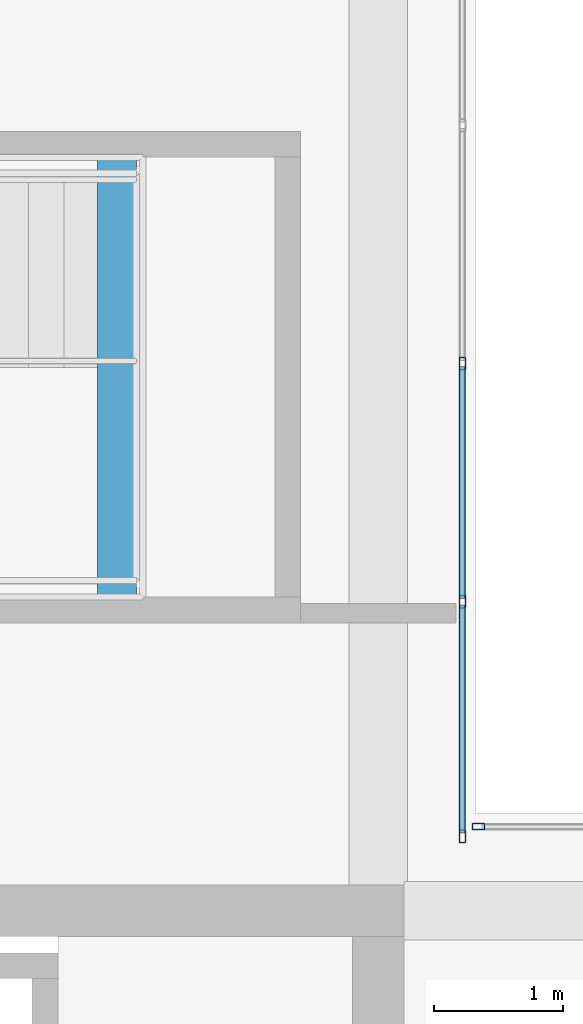
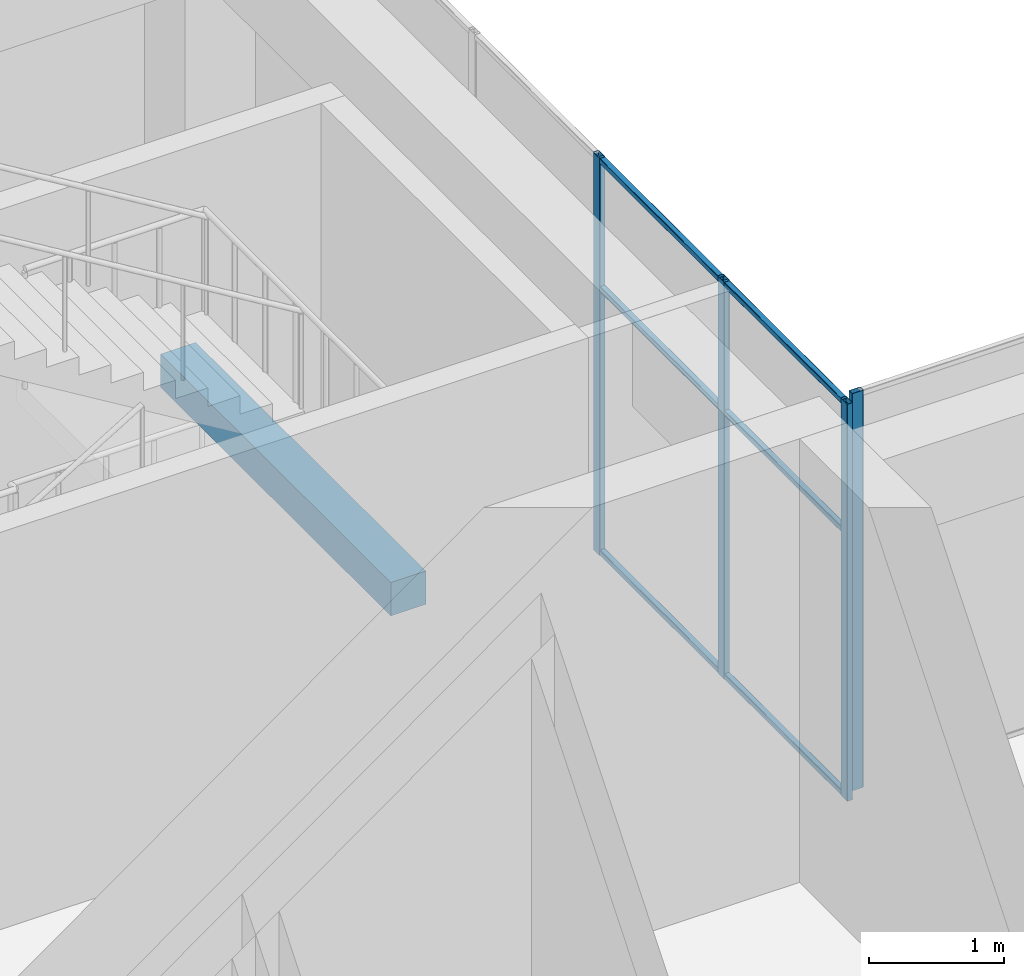
# One storey, part 15 of 35: 10 members, 1 beam, 2 elements without a shape of their own.
"""IFC4 building model written with IfcOpenShell, lengths in metres."""

from ifc_helpers import new_model, si_unit, direction, frame, origin, origin_2d, place, context, subcontext, project, spatial, rectangle, hollow_rectangle, extrude, material, layer, layer_set, material_profile, profile_set, type_object, element, aggregate, save


model = new_model("IFC4")

# Units and contexts
model_context = context("Model", 3, precision=1e-05, world=origin(), true_north=direction((0.0, 1.0)))
body_context = subcontext(model_context, "Body", "Model", "MODEL_VIEW")
ifc_project = project(units=[si_unit("LENGTHUNIT", "METRE"), si_unit("AREAUNIT", "SQUARE_METRE"), si_unit("VOLUMEUNIT", "CUBIC_METRE"), si_unit("PLANEANGLEUNIT", "RADIAN"), si_unit("MASSUNIT", "GRAM", prefix="KILO")], contexts=[model_context])

# Site, building, storey
site_placement = place(None, origin())
site = spatial("IfcSite", under=ifc_project, at=site_placement, CompositionType="ELEMENT")
building_placement = place(site_placement, origin())
building = spatial("IfcBuilding", under=site, at=building_placement, Name="Tuart Plaza Theatre", CompositionType="ELEMENT")
storey_placement = place(building_placement, frame((0.0, 0.0, 49.5)))
storey = spatial("IfcBuildingStorey", under=building, at=storey_placement, Name="L12", CompositionType="ELEMENT", Elevation=49.5)

# Beam
ifc_material_1 = material(Name="Concrete N40 (40 MPa)", Category="concrete")
ifc_material_profile_1 = material_profile(ifc_material_1, rectangle(XDim=0.300048828125, YDim=0.300048828125, at=origin_2d()), Name="BEAM 300x300 Concrete N40 (40 MPa)")
ifc_profile_set_1 = profile_set([ifc_material_profile_1], Name="Concrete N40 (40 MPa)")
beam_type = type_object("IfcBeamType", Name="BEAM 300x300 Concrete N40 (40 MPa)", PredefinedType="BEAM", material=ifc_profile_set_1)
beam_placement = place(storey_placement, frame((138.97998046875, 85.425048828125, 1.64990234375), z_axis=(0.0, 1.0, 0.0), x_axis=(-1.0, 0.0, 0.0)))
element("IfcBeam", 1, at=beam_placement, inside=storey, type_object=beam_type, Name="RB524", PredefinedType="BEAM", context=body_context, shape_type="SweptSolid", body=[
    extrude(rectangle(XDim=0.300048828125, YDim=0.300048828125, at=origin_2d()), origin(), (0.0, 0.0, 1.0), 3.39990234375),
])

# Curtain wall, member
ifc_material_2 = material(Name="Aluminium and glass", Category="aluminium")
ifc_layer = layer(ifc_material_2, 0.10009765625)
ifc_layer_set = layer_set([ifc_layer], Name="CURTAIN WALL 2000 module")
curtain_wall_type = type_object("IfcCurtainWallType", Name="CURTAIN WALL 2000 module", PredefinedType="NOTDEFINED", material=ifc_layer_set)
curtain_wall_1_placement = place(storey_placement, origin())
curtain_wall_1 = element("IfcCurtainWall", 2, at=curtain_wall_1_placement, inside=storey, type_object=curtain_wall_type, Name="CW103", PredefinedType="NOTDEFINED")
ifc_material_3 = material(Name="Aluminium 6063-T5", Category="aluminium")
ifc_material_profile_2 = material_profile(ifc_material_3, hollow_rectangle(XDim=0.050048828125, YDim=0.10009765625, WallThickness=0.00390625, InnerFilletRadius=0.00390625, OuterFilletRadius=0.008056640625, at=origin_2d()), Name="RHS 100x50x4")
ifc_profile_set_2 = profile_set([ifc_material_profile_2], Name="Aluminium 6063-T5")
member_type_1 = type_object("IfcMemberType", Name="MULLION RHS 100x50x4", PredefinedType="MULLION", material=ifc_profile_set_2)
member_1_placement = place(storey_placement, frame((141.77490234375, 83.64990234375, 0.0), z_axis=(0.0, 0.0, 1.0), x_axis=(0.0, -1.0, 0.0)))
member_1 = element("IfcMember", 3, at=member_1_placement, type_object=member_type_1, Name="CW103 mullion 5", PredefinedType="MULLION", context=body_context, shape_type="SweptSolid", body=[
    extrude(hollow_rectangle(XDim=0.050048828125, YDim=0.10009765625, WallThickness=0.00390625, InnerFilletRadius=0.00390625, OuterFilletRadius=0.008056640625, at=origin_2d()), origin(), (0.0, 0.0, 1.0), 3.580078125),
])
aggregate(curtain_wall_1, [member_1])

# Curtain wall, members
curtain_wall_2_placement = place(storey_placement, origin())
curtain_wall_2 = element("IfcCurtainWall", 4, at=curtain_wall_2_placement, inside=storey, type_object=curtain_wall_type, Name="CW104", PredefinedType="NOTDEFINED")
member_2_placement = place(storey_placement, frame((141.64990234375, 83.574951171875, 0.0), z_axis=(0.0, 0.0, 1.0), x_axis=(-1.0, 0.0, 0.0)))
member_2 = element("IfcMember", 5, at=member_2_placement, type_object=member_type_1, Name="CW104 mullion 1", PredefinedType="MULLION", context=body_context, shape_type="SweptSolid", body=[
    extrude(hollow_rectangle(XDim=0.050048828125, YDim=0.10009765625, WallThickness=0.00390625, InnerFilletRadius=0.00390625, OuterFilletRadius=0.008056640625, at=origin_2d()), origin(), (0.0, 0.0, 1.0), 3.580078125),
])
member_3_placement = place(storey_placement, frame((141.64990234375, 85.389892578125, 0.0), z_axis=(0.0, 0.0, 1.0), x_axis=(-1.0, 0.0, 0.0)))
member_3 = element("IfcMember", 6, at=member_3_placement, type_object=member_type_1, Name="CW104 mullion 2", PredefinedType="MULLION", context=body_context, shape_type="SweptSolid", body=[
    extrude(hollow_rectangle(XDim=0.050048828125, YDim=0.10009765625, WallThickness=0.00390625, InnerFilletRadius=0.00390625, OuterFilletRadius=0.008056640625, at=origin_2d()), origin(), (0.0, 0.0, 1.0), 3.580078125),
])
member_4_placement = place(storey_placement, frame((141.64990234375, 87.22998046875, 0.0), z_axis=(0.0, 0.0, 1.0), x_axis=(-1.0, 0.0, 0.0)))
member_4 = element("IfcMember", 7, at=member_4_placement, type_object=member_type_1, Name="CW104 mullion 3", PredefinedType="MULLION", context=body_context, shape_type="SweptSolid", body=[
    extrude(hollow_rectangle(XDim=0.050048828125, YDim=0.10009765625, WallThickness=0.00390625, InnerFilletRadius=0.00390625, OuterFilletRadius=0.008056640625, at=origin_2d()), origin(), (0.0, 0.0, 1.0), 3.580078125),
])
ifc_material_4 = material(Name="Aluminium 6063-T5", Category="aluminium")
ifc_material_profile_3 = material_profile(ifc_material_4, hollow_rectangle(XDim=0.050048828125, YDim=0.050048828125, WallThickness=0.00390625, InnerFilletRadius=0.00390625, OuterFilletRadius=0.008056640625, at=origin_2d()), Name="RHS 50x50x4")
ifc_profile_set_3 = profile_set([ifc_material_profile_3], Name="Aluminium 6063-T5")
member_type_2 = type_object("IfcMemberType", Name="TRANSOM RHS 50x50x4", PredefinedType="USERDEFINED", material=ifc_profile_set_3)
member_5_placement = place(storey_placement, frame((141.64990234375, 83.60009765625, 0.02490234375), z_axis=(0.0, 1.0, 0.0), x_axis=(-1.0, 0.0, 0.0)))
member_5 = element("IfcMember", 8, at=member_5_placement, type_object=member_type_2, Name="CW104 transom 1.1", ObjectType="TRANSOM", PredefinedType="USERDEFINED", context=body_context, shape_type="SweptSolid", body=[
    extrude(hollow_rectangle(XDim=0.050048828125, YDim=0.050048828125, WallThickness=0.00390625, InnerFilletRadius=0.00390625, OuterFilletRadius=0.008056640625, at=origin_2d()), origin(), (0.0, 0.0, 1.0), 1.764892578125),
])
member_6_placement = place(storey_placement, frame((141.64990234375, 83.60009765625, 2.39990234375), z_axis=(0.0, 1.0, 0.0), x_axis=(-1.0, 0.0, 0.0)))
member_6 = element("IfcMember", 9, at=member_6_placement, type_object=member_type_2, Name="CW104 transom 1.2", ObjectType="TRANSOM", PredefinedType="USERDEFINED", context=body_context, shape_type="SweptSolid", body=[
    extrude(hollow_rectangle(XDim=0.050048828125, YDim=0.050048828125, WallThickness=0.00390625, InnerFilletRadius=0.00390625, OuterFilletRadius=0.008056640625, at=origin_2d()), origin(), (0.0, 0.0, 1.0), 1.764892578125),
])
member_7_placement = place(storey_placement, frame((141.64990234375, 83.60009765625, 3.554931640625), z_axis=(0.0, 1.0, 0.0), x_axis=(-1.0, 0.0, 0.0)))
member_7 = element("IfcMember", 10, at=member_7_placement, type_object=member_type_2, Name="CW104 transom 1.3", ObjectType="TRANSOM", PredefinedType="USERDEFINED", context=body_context, shape_type="SweptSolid", body=[
    extrude(hollow_rectangle(XDim=0.050048828125, YDim=0.050048828125, WallThickness=0.00390625, InnerFilletRadius=0.00390625, OuterFilletRadius=0.008056640625, at=origin_2d()), origin(), (0.0, 0.0, 1.0), 1.764892578125),
])
member_8_placement = place(storey_placement, frame((141.64990234375, 85.4150390625, 0.02490234375), z_axis=(0.0, 1.0, 0.0), x_axis=(-1.0, 0.0, 0.0)))
member_8 = element("IfcMember", 11, at=member_8_placement, type_object=member_type_2, Name="CW104 transom 2.1", ObjectType="TRANSOM", PredefinedType="USERDEFINED", context=body_context, shape_type="SweptSolid", body=[
    extrude(hollow_rectangle(XDim=0.050048828125, YDim=0.050048828125, WallThickness=0.00390625, InnerFilletRadius=0.00390625, OuterFilletRadius=0.008056640625, at=origin_2d()), origin(), (0.0, 0.0, 1.0), 1.7900390625),
])
member_9_placement = place(storey_placement, frame((141.64990234375, 85.4150390625, 2.39990234375), z_axis=(0.0, 1.0, 0.0), x_axis=(-1.0, 0.0, 0.0)))
member_9 = element("IfcMember", 12, at=member_9_placement, type_object=member_type_2, Name="CW104 transom 2.2", ObjectType="TRANSOM", PredefinedType="USERDEFINED", context=body_context, shape_type="SweptSolid", body=[
    extrude(hollow_rectangle(XDim=0.050048828125, YDim=0.050048828125, WallThickness=0.00390625, InnerFilletRadius=0.00390625, OuterFilletRadius=0.008056640625, at=origin_2d()), origin(), (0.0, 0.0, 1.0), 1.7900390625),
])
member_10_placement = place(storey_placement, frame((141.64990234375, 85.4150390625, 3.554931640625), z_axis=(0.0, 1.0, 0.0), x_axis=(-1.0, 0.0, 0.0)))
member_10 = element("IfcMember", 13, at=member_10_placement, type_object=member_type_2, Name="CW104 transom 2.3", ObjectType="TRANSOM", PredefinedType="USERDEFINED", context=body_context, shape_type="SweptSolid", body=[
    extrude(hollow_rectangle(XDim=0.050048828125, YDim=0.050048828125, WallThickness=0.00390625, InnerFilletRadius=0.00390625, OuterFilletRadius=0.008056640625, at=origin_2d()), origin(), (0.0, 0.0, 1.0), 1.7900390625),
])
aggregate(curtain_wall_2, [member_2, member_3, member_4, member_5, member_6, member_7, member_8, member_9, member_10])

save(model, "model.ifc")
